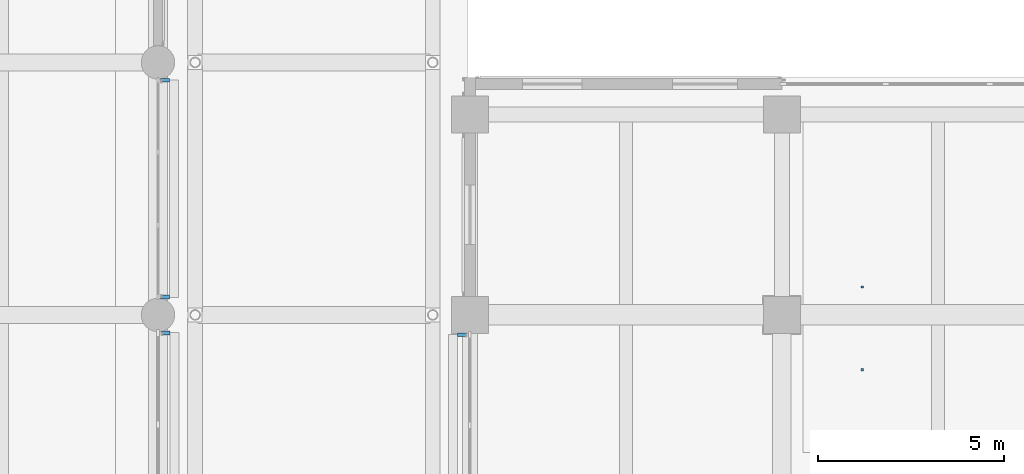
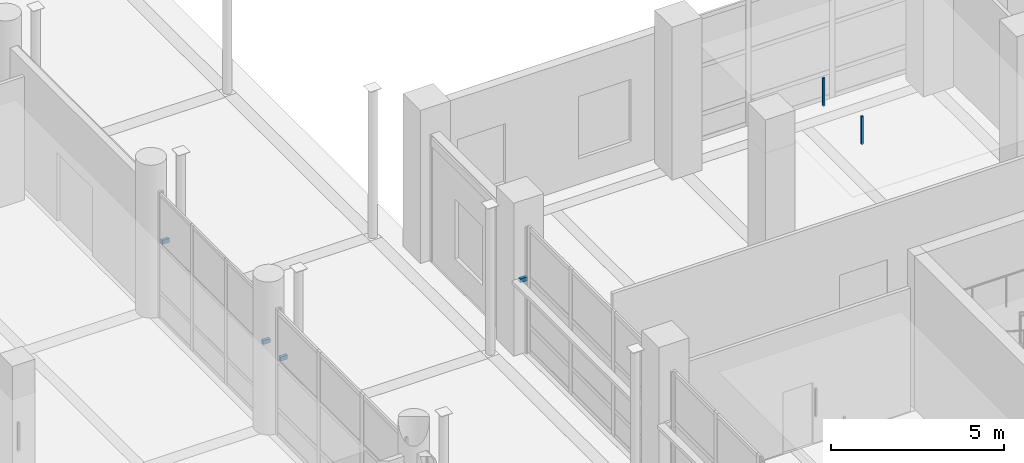
# One storey, part 81 of 140: 6 discrete accessories.
"""IFC4 building model written with IfcOpenShell, lengths in metres."""

import ifcopenshell
import ifcopenshell.guid

model = None  # the IFC model being written
_history = None  # IfcOwnerHistory: only IFC2X3 demands one
_inside = {}  # id of a spatial element -> (the spatial element, [elements in it])
_under = {}  # id of a project, library or spatial element -> (it, [spatial elements below it])
_declared = {}  # id of a project -> (the project, [libraries it declares])
_typed = {}  # id of a type object -> (the type object, [elements of that type])
_made_of = {}  # id of a material, layer set ... -> (it, [elements and type objects made of it])


def new_model(schema):
    """Start an empty IFC model of exactly this schema.

    Asked for "IFC4X3", IfcOpenShell would pick the latest addendum, in which some entities
    have other attributes; the version numbers below select the first issue.
    IFC2X3 requires an IfcOwnerHistory on every rooted entity: one is made here for all.
    """
    global model, _history
    if schema == "IFC4X3":
        model = ifcopenshell.file(schema_version=(4, 3, 0, 0))
    else:
        model = ifcopenshell.file(schema=schema)
    _inside.clear()
    _under.clear()
    _declared.clear()
    _typed.clear()
    _made_of.clear()
    _history = None
    if model.schema == "IFC2X3":
        org = make("IfcOrganization", Name="unknown")
        user = make(
            "IfcPersonAndOrganization",
            ThePerson=make("IfcPerson", FamilyName="unknown"),
            TheOrganization=org,
        )
        app = make(
            "IfcApplication",
            ApplicationDeveloper=org,
            Version="unknown",
            ApplicationFullName="unknown",
            ApplicationIdentifier="unknown",
        )
        _history = make(
            "IfcOwnerHistory",
            OwningUser=user,
            OwningApplication=app,
            ChangeAction="ADDED",
            CreationDate=0,
        )
    return model


def make(cls, **values):
    """One entity of the class cls with the attributes given. An attribute that is None is left unset."""
    return model.create_entity(
        cls, **{name: value for name, value in values.items() if value is not None}
    )


def rooted(cls, **values):
    """An entity with a GlobalId (a new one), such as an element, a storey or a relation."""
    return make(cls, GlobalId=ifcopenshell.guid.new(), OwnerHistory=_history, **values)


def si_unit(unit_type, name, prefix=None):
    """IfcSIUnit, for example si_unit("LENGTHUNIT", "METRE", prefix="MILLI")."""
    return make("IfcSIUnit", UnitType=unit_type, Prefix=prefix, Name=name)


def assignment(units):
    """IfcUnitAssignment: the units of a project."""
    return None if units is None else make("IfcUnitAssignment", Units=units)


def point(xyz):
    """IfcCartesianPoint."""
    return None if xyz is None else make("IfcCartesianPoint", Coordinates=xyz)


def direction(xyz):
    """IfcDirection."""
    return None if xyz is None else make("IfcDirection", DirectionRatios=xyz)


def frame(location, z_axis=None, x_axis=None):
    """IfcAxis2Placement3D, a coordinate frame: its origin and axes. An axis left out is left unset."""
    return make(
        "IfcAxis2Placement3D",
        Location=point(location),
        Axis=direction(z_axis),
        RefDirection=direction(x_axis),
    )


def frame_2d(location, x_axis=None):
    """IfcAxis2Placement2D, a coordinate frame in the plane: its origin and x axis."""
    return make(
        "IfcAxis2Placement2D", Location=point(location), RefDirection=direction(x_axis)
    )


def origin():
    """The frame at (0, 0, 0) with its axes left unset."""
    return frame((0.0, 0.0, 0.0))


def origin_2d():
    """The frame at (0, 0) in the plane with its x axis left unset."""
    return frame_2d((0.0, 0.0))


def place(relative_to, where):
    """IfcLocalPlacement: puts the frame where relative to a parent placement (None: the world)."""
    return make(
        "IfcLocalPlacement", PlacementRelTo=relative_to, RelativePlacement=where
    )


def context(
    kind, dimensions, precision=None, world=None, true_north=None, identifier=None
):
    """IfcGeometricRepresentationContext, for example the 3D "Model" context."""
    return make(
        "IfcGeometricRepresentationContext",
        ContextIdentifier=identifier,
        ContextType=kind,
        CoordinateSpaceDimension=dimensions,
        Precision=precision,
        WorldCoordinateSystem=world,
        TrueNorth=true_north,
    )


def subcontext(parent, identifier, kind, view, scale=None):
    """IfcGeometricRepresentationSubContext, for example "Body" below "Model"."""
    return make(
        "IfcGeometricRepresentationSubContext",
        ContextIdentifier=identifier,
        ContextType=kind,
        ParentContext=parent,
        TargetScale=scale,
        TargetView=view,
    )


def project(units=None, contexts=None):
    """IfcProject with its units and contexts."""
    return rooted(
        "IfcProject",
        Name="project",
        RepresentationContexts=contexts,
        UnitsInContext=assignment(units),
    )


def spatial(cls, under=None, at=None, **own):
    """A site, building, storey or space (cls), placed at a placement, below another one or the project."""
    s = rooted(cls, ObjectPlacement=at, **own)
    if under is not None:
        _under.setdefault(under.id(), (under, []))[1].append(s)
    return s


def profile(cls, at=None, kind="AREA", **sizes):
    """A parametric profile (cls). Its sizes go by their IFC names, for example OverallWidth=200.0."""
    return make(cls, ProfileType=kind, Position=at, **sizes)


def rectangle(**sizes):
    """IfcRectangleProfileDef."""
    return profile("IfcRectangleProfileDef", **sizes)


def extrude(swept, where, along, depth):
    """IfcExtrudedAreaSolid: the profile swept, set in the frame where, extruded along a direction by depth."""
    return make(
        "IfcExtrudedAreaSolid",
        SweptArea=swept,
        Position=where,
        ExtrudedDirection=direction(along),
        Depth=depth,
    )


def shape(context_of_items, identifier, shape_type, items):
    """IfcShapeRepresentation: the items that make up one representation, for example the "Body"."""
    return make(
        "IfcShapeRepresentation",
        ContextOfItems=context_of_items,
        RepresentationIdentifier=identifier,
        RepresentationType=shape_type,
        Items=items,
    )


def material(Name=None, Category=None):
    """IfcMaterial."""
    return make("IfcMaterial", Name=Name, Category=Category)


def made_of(thing, what):
    """Note that an element or type object is made of a material, layer set ...; save() writes the relation."""
    if what is not None:
        _made_of.setdefault(what.id(), (what, []))[1].append(thing)
    return thing


def type_object(cls, material=None, **own):
    """A type object (cls), such as IfcWallType, which elements share."""
    return made_of(rooted(cls, **own), material)


def element(
    cls,
    number,
    at=None,
    inside=None,
    cuts=None,
    type_object=None,
    material=None,
    context=None,
    identifier="Body",
    shape_type=None,
    held_by="IfcProductDefinitionShape",
    body=None,
    shapes=None,
    **own,
):
    """One element of the class cls, such as IfcWall. Its Tag is "e" and its number.

    at: its placement. inside: the storey or other place that contains it. cuts: it is an
    opening in that element (IfcRelVoidsElement). A single representation is given by context,
    identifier, shape_type and body (its items); several are given by shapes. held_by: the class
    of the entity that holds the representations. save() writes the other relations.
    """
    e = rooted(cls, Tag="e%d" % number, ObjectPlacement=at, **own)
    if body is not None:
        shapes = [shape(context, identifier, shape_type, body)]
    if shapes is not None:
        e.Representation = make(held_by, Representations=shapes)
    if inside is not None:
        _inside.setdefault(inside.id(), (inside, []))[1].append(e)
    if cuts is not None:
        rooted(
            "IfcRelVoidsElement", RelatingBuildingElement=cuts, RelatedOpeningElement=e
        )
    if type_object is not None:
        _typed.setdefault(type_object.id(), (type_object, []))[1].append(e)
    return made_of(e, material)


def aggregate(whole, parts):
    """IfcRelAggregates: a whole, such as a stair, and the parts it consists of."""
    return rooted("IfcRelAggregates", RelatingObject=whole, RelatedObjects=parts)


def save(model, path):
    """Write the relations noted so far, then the file.

    IfcRelAggregates (storeys below a building ...), IfcRelContainedInSpatialStructure (elements
    in a storey), IfcRelDefinesByType, IfcRelAssociatesMaterial and IfcRelDeclares: one each for
    every whole, place, type object, material and project.
    """
    for whole, parts in _under.values():
        aggregate(whole, parts)
    for where, things in _inside.values():
        rooted(
            "IfcRelContainedInSpatialStructure",
            RelatedElements=things,
            RelatingStructure=where,
        )
    for kind, things in _typed.values():
        rooted("IfcRelDefinesByType", RelatedObjects=things, RelatingType=kind)
    for what, things in _made_of.values():
        rooted("IfcRelAssociatesMaterial", RelatedObjects=things, RelatingMaterial=what)
    for by, libraries in _declared.values():
        rooted("IfcRelDeclares", RelatingContext=by, RelatedDefinitions=libraries)
    model.write(path)


model = new_model("IFC4")

# Units and contexts
model_context = context("Model", 3, precision=1e-05, world=origin(), true_north=direction((0.0, 1.0)))
body_context = subcontext(model_context, "Body", "Model", "MODEL_VIEW")
ifc_project = project(units=[si_unit("LENGTHUNIT", "METRE"), si_unit("AREAUNIT", "SQUARE_METRE"), si_unit("VOLUMEUNIT", "CUBIC_METRE"), si_unit("PLANEANGLEUNIT", "RADIAN"), si_unit("MASSUNIT", "GRAM", prefix="KILO")], contexts=[model_context])

# Site, building, storey
site_placement = place(None, origin())
site = spatial("IfcSite", under=ifc_project, at=site_placement, CompositionType="ELEMENT")
building_placement = place(site_placement, origin())
building = spatial("IfcBuilding", under=site, at=building_placement, Name="Telukmera Botanical Conservatory", CompositionType="ELEMENT")
storey_placement = place(building_placement, origin())
storey = spatial("IfcBuildingStorey", under=building, at=storey_placement, Name="L00", CompositionType="ELEMENT", Elevation=0.0)

# Discrete accessories
ifc_material = material(Name="Steel S355", Category="steel")
discrete_accessory_type_1 = type_object("IfcDiscreteAccessoryType", Name="ACC-CEIL-HGR", PredefinedType="BRACKET", material=ifc_material)
for number, where, z_axis, x_axis, name in (
    (1, (60.96728515625, 41.324951171875, 4.2197265625), (0.0, 0.0, 1.0), (1.0, 0.0, 0.0), "L00 Suspended Ceiling Hanger Rod 083-1"),
    (2, (60.96728515625, 43.550048828125, 4.2197265625), (0.0, 0.0, 1.0), (1.0, 0.0, 0.0), "L00 Suspended Ceiling Hanger Rod 083-2"),
):
    element("IfcDiscreteAccessory", number, at=place(storey_placement, frame(where, z_axis=z_axis, x_axis=x_axis)), inside=storey, type_object=discrete_accessory_type_1, Name=name, PredefinedType="BRACKET", context=body_context, shape_type="SweptSolid", body=[
        extrude(rectangle(XDim=0.06005859375, YDim=0.06005859375, at=origin_2d()), origin(), (0.0, 0.0, 1.0), 0.985107421875),
    ])
discrete_accessory_type_2 = type_object("IfcDiscreteAccessoryType", Name="Structural Steel Facade Outrigger Fin Bracket", PredefinedType="BRACKET", material=ifc_material)
for number, where, z_axis, x_axis, name in (
    (3, (42.2099609375, 42.31298828125, 2.580078125), (0.0, 0.0, 1.0), (0.0, 1.0, 0.0), "Facade Outrigger Bracket V3:L00:E3 B"),
    (4, (42.18994140625, 43.281982421875, 2.580078125), (0.0, 0.0, 1.0), (0.0, 1.0, 0.0), "Facade Outrigger Bracket V3:L00:E4 A"),
    (5, (42.18994140625, 49.117919921875, 2.580078125), (0.0, 0.0, 1.0), (0.0, 1.0, 0.0), "Facade Outrigger Bracket V3:L00:E4 B"),
    (6, (50.18994140625, 42.262939453125, 2.580078125), (0.0, 0.0, 1.0), (0.0, 1.0, 0.0), "Facade Outrigger Bracket V4:L00:W4 B"),
):
    element("IfcDiscreteAccessory", number, at=place(storey_placement, frame(where, z_axis=z_axis, x_axis=x_axis)), inside=storey, type_object=discrete_accessory_type_2, Name=name, PredefinedType="BRACKET", context=body_context, shape_type="SweptSolid", body=[
        extrude(rectangle(XDim=0.10009765625, YDim=0.239990234375, at=origin_2d()), origin(), (0.0, 0.0, 1.0), 0.139892578125),
    ])

save(model, "model.ifc")
